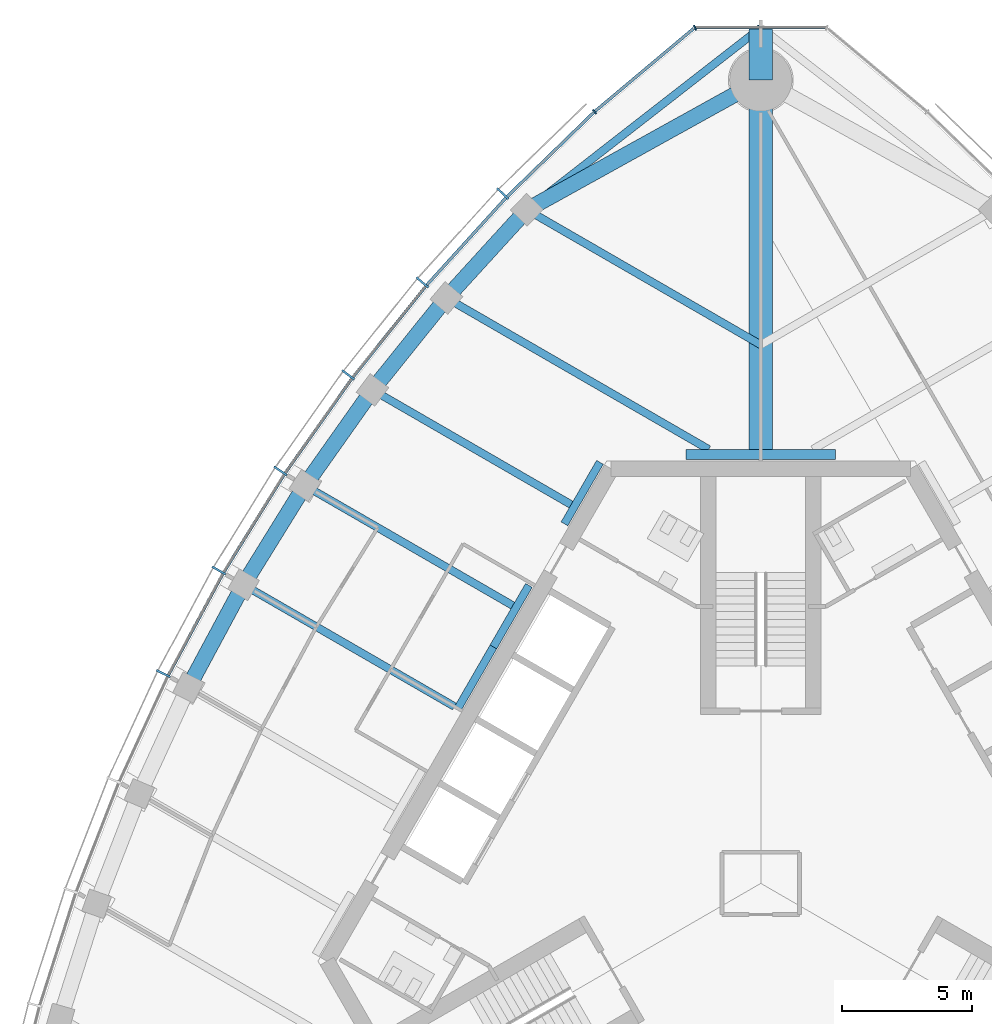
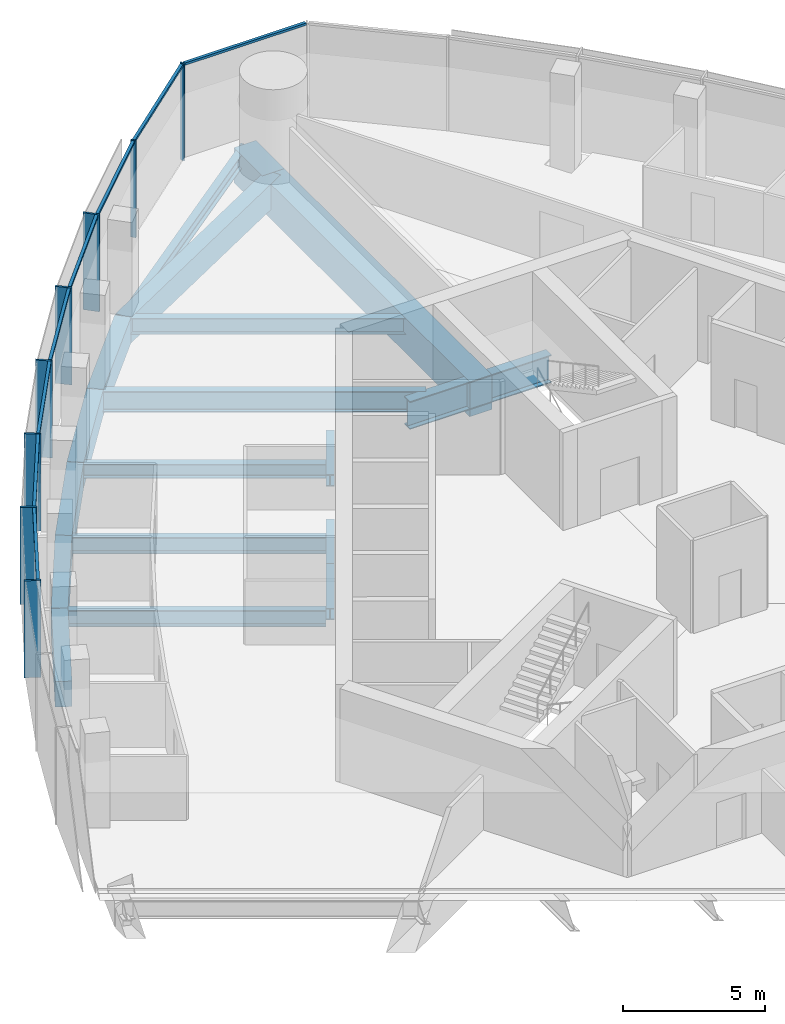
# One storey, part 5 of 16: 19 beams, 16 members, 2 elements without a shape of their own.
"""IFC4 building model written with IfcOpenShell, lengths in metres."""

from ifc_helpers import new_model, si_unit, direction, frame, origin, origin_2d, place, context, subcontext, project, spatial, rectangle, i_section, extrude, material, material_profile, profile_set, type_object, element, aggregate, save


model = new_model("IFC4")

# Units and contexts
model_context = context("Model", 3, precision=1e-05, world=origin(), true_north=direction((0.0, 1.0)))
body_context = subcontext(model_context, "Body", "Model", "MODEL_VIEW")
ifc_project = project(units=[si_unit("LENGTHUNIT", "METRE"), si_unit("AREAUNIT", "SQUARE_METRE"), si_unit("VOLUMEUNIT", "CUBIC_METRE"), si_unit("PLANEANGLEUNIT", "RADIAN"), si_unit("MASSUNIT", "GRAM", prefix="KILO")], contexts=[model_context])

# Site, building, storey
site_placement = place(None, origin())
site = spatial("IfcSite", under=ifc_project, at=site_placement, CompositionType="ELEMENT")
building_placement = place(site_placement, origin())
building = spatial("IfcBuilding", under=site, at=building_placement, Name="Trefoil Bronze Tower", CompositionType="ELEMENT")
storey_placement = place(building_placement, frame((0.0, 0.0, 301.5)))
storey = spatial("IfcBuildingStorey", under=building, at=storey_placement, Name="L69", CompositionType="ELEMENT", Elevation=301.5)

# Curtain wall, members
ifc_material_1 = material(Name="Tinted solar-control glass", Category="glass")
curtain_wall_type_1 = type_object("IfcCurtainWallType", Name="Bronze office curtain wall", PredefinedType="USERDEFINED", material=ifc_material_1)
curtain_wall_1_placement = place(storey_placement, origin())
curtain_wall_1 = element("IfcCurtainWall", 1, at=curtain_wall_1_placement, inside=storey, type_object=curtain_wall_type_1, Name="CW-A L69 F3", ObjectType="CURTAIN WALL", PredefinedType="USERDEFINED")
ifc_material_2 = material(Name="Bronze-finish aluminium", Category="aluminium")
ifc_material_profile_1 = material_profile(ifc_material_2, rectangle(XDim=0.60009765625, YDim=0.080078125, at=origin_2d()), Name="CW-A mullion")
ifc_profile_set_1 = profile_set([ifc_material_profile_1], Name="Bronze-finish aluminium")
member_type_1 = type_object("IfcMemberType", Name="Bronze office curtain wall mullion", PredefinedType="MULLION", material=ifc_profile_set_1)
member_1_placement = place(storey_placement, frame((-9.957275390625, 26.617431640625, 0.0), z_axis=(0.0, 0.0, 1.0), x_axis=(0.719001349715, -0.695008675564, 0.0)))
member_1 = element("IfcMember", 2, at=member_1_placement, type_object=member_type_1, Name="CW-A L69 F3 mullion 2", PredefinedType="MULLION", context=body_context, shape_type="SweptSolid", body=[
    extrude(rectangle(XDim=0.60009765625, YDim=0.080078125, at=origin_2d()), origin(), (0.0, 0.0, 1.0), 4.179931640625),
])
member_2_placement = place(storey_placement, frame((-13.064453125, 23.194091796875, 0.0), z_axis=(0.0, 0.0, 1.0), x_axis=(0.760781190165, -0.649008459646, 0.0)))
member_2 = element("IfcMember", 3, at=member_2_placement, type_object=member_type_1, Name="CW-A L69 F3 mullion 3", PredefinedType="MULLION", context=body_context, shape_type="SweptSolid", body=[
    extrude(rectangle(XDim=0.60009765625, YDim=0.080078125, at=origin_2d()), origin(), (0.0, 0.0, 1.0), 4.179931640625),
])
member_3_placement = place(storey_placement, frame((-15.922607421875, 19.627197265625, 0.0), z_axis=(0.0, 0.0, 1.0), x_axis=(0.799096076136, -0.601203344222, 0.0)))
member_3 = element("IfcMember", 4, at=member_3_placement, type_object=member_type_1, Name="CW-A L69 F3 mullion 4", PredefinedType="MULLION", context=body_context, shape_type="SweptSolid", body=[
    extrude(rectangle(XDim=0.60009765625, YDim=0.080078125, at=origin_2d()), origin(), (0.0, 0.0, 1.0), 4.179931640625),
])
member_4_placement = place(storey_placement, frame((-18.538330078125, 15.920166015625, 0.0), z_axis=(0.0, 0.0, 1.0), x_axis=(0.834159158089, -0.551523797289, 0.0)))
member_4 = element("IfcMember", 5, at=member_4_placement, type_object=member_type_1, Name="CW-A L69 F3 mullion 5", PredefinedType="MULLION", context=body_context, shape_type="SweptSolid", body=[
    extrude(rectangle(XDim=0.60009765625, YDim=0.080078125, at=origin_2d()), origin(), (0.0, 0.0, 1.0), 4.179931640625),
])
member_5_placement = place(storey_placement, frame((-20.916015625, 12.07568359375, 0.0), z_axis=(0.0, 0.0, 1.0), x_axis=(0.866025403784, -0.5, 0.0)))
member_5 = element("IfcMember", 6, at=member_5_placement, type_object=member_type_1, Name="CW-A L69 F3 mullion 6", PredefinedType="MULLION", context=body_context, shape_type="SweptSolid", body=[
    extrude(rectangle(XDim=0.60009765625, YDim=0.080078125, at=origin_2d()), origin(), (0.0, 0.0, 1.0), 4.179931640625),
])
member_6_placement = place(storey_placement, frame((-23.056396484375, 8.094482421875, 0.0), z_axis=(0.0, 0.0, 1.0), x_axis=(0.894713198289, -0.44664112306, 0.0)))
member_6 = element("IfcMember", 7, at=member_6_placement, type_object=member_type_1, Name="CW-A L69 F3 mullion 7", PredefinedType="MULLION", context=body_context, shape_type="SweptSolid", body=[
    extrude(rectangle(XDim=0.60009765625, YDim=0.080078125, at=origin_2d()), origin(), (0.0, 0.0, 1.0), 4.179931640625),
])
ifc_material_3 = material(Name="Bronze-finish aluminium", Category="aluminium")
ifc_material_profile_2 = material_profile(ifc_material_3, rectangle(XDim=0.1201171875, YDim=0.10009765625, at=origin_2d()), Name="CW-A transom")
ifc_profile_set_2 = profile_set([ifc_material_profile_2], Name="Bronze-finish aluminium")
member_type_2 = type_object("IfcMemberType", Name="Bronze office curtain wall transom", PredefinedType="USERDEFINED", material=ifc_profile_set_2)
member_7_placement = place(storey_placement, frame((-6.44921875, 29.7470703125, 4.1298828125), z_axis=(-0.717224617883, -0.696842053484, 0.0), x_axis=(0.696842053484, -0.717224617883, 0.0)))
member_7 = element("IfcMember", 8, at=member_7_placement, type_object=member_type_2, Name="CW-A L69 F3 transom 1", ObjectType="TRANSOM", PredefinedType="USERDEFINED", context=body_context, shape_type="SweptSolid", body=[
    extrude(rectangle(XDim=0.1201171875, YDim=0.10009765625, at=origin_2d()), origin(), (0.0, 0.0, 1.0), 4.6474609375),
])
member_8_placement = place(storey_placement, frame((-9.842529296875, 26.446533203125, 4.1298828125), z_axis=(-0.672068269674, -0.740489190264, 0.0), x_axis=(0.740489190264, -0.672068269674, 0.0)))
member_8 = element("IfcMember", 9, at=member_8_placement, type_object=member_type_2, Name="CW-A L69 F3 transom 2", ObjectType="TRANSOM", PredefinedType="USERDEFINED", context=body_context, shape_type="SweptSolid", body=[
    extrude(rectangle(XDim=0.1201171875, YDim=0.10009765625, at=origin_2d()), origin(), (0.0, 0.0, 1.0), 4.5244140625),
])
member_9_placement = place(storey_placement, frame((-12.939208984375, 23.03076171875, 4.1298828125), z_axis=(-0.625300648488, -0.780383943325, 0.0), x_axis=(0.780383943325, -0.625300648488, 0.0)))
member_9 = element("IfcMember", 10, at=member_9_placement, type_object=member_type_2, Name="CW-A L69 F3 transom 3", ObjectType="TRANSOM", PredefinedType="USERDEFINED", context=body_context, shape_type="SweptSolid", body=[
    extrude(rectangle(XDim=0.1201171875, YDim=0.10009765625, at=origin_2d()), origin(), (0.0, 0.0, 1.0), 4.472412109375),
])
member_10_placement = place(storey_placement, frame((-15.78759765625, 19.4716796875, 4.1298828125), z_axis=(-0.5765665752, -0.817050172488, 0.0), x_axis=(0.817050172488, -0.5765665752, 0.0)))
member_10 = element("IfcMember", 11, at=member_10_placement, type_object=member_type_2, Name="CW-A L69 F3 transom 4", ObjectType="TRANSOM", PredefinedType="USERDEFINED", context=body_context, shape_type="SweptSolid", body=[
    extrude(rectangle(XDim=0.1201171875, YDim=0.10009765625, at=origin_2d()), origin(), (0.0, 0.0, 1.0), 4.4384765625),
])
member_11_placement = place(storey_placement, frame((-18.394287109375, 15.7734375, 4.1298828125), z_axis=(-0.525978235299, -0.850498028212, 0.0), x_axis=(0.850498028212, -0.525978235299, 0.0)))
member_11 = element("IfcMember", 12, at=member_11_placement, type_object=member_type_2, Name="CW-A L69 F3 transom 5", ObjectType="TRANSOM", PredefinedType="USERDEFINED", context=body_context, shape_type="SweptSolid", body=[
    extrude(rectangle(XDim=0.1201171875, YDim=0.10009765625, at=origin_2d()), origin(), (0.0, 0.0, 1.0), 4.422119140625),
])
member_12_placement = place(storey_placement, frame((-20.76318359375, 11.93798828125, 4.1298828125), z_axis=(-0.473540024981, -0.880772300167, 0.0), x_axis=(0.880772300167, -0.473540024981, 0.0)))
member_12 = element("IfcMember", 13, at=member_12_placement, type_object=member_type_2, Name="CW-A L69 F3 transom 6", ObjectType="TRANSOM", PredefinedType="USERDEFINED", context=body_context, shape_type="SweptSolid", body=[
    extrude(rectangle(XDim=0.1201171875, YDim=0.10009765625, at=origin_2d()), origin(), (0.0, 0.0, 1.0), 4.422119140625),
])
aggregate(curtain_wall_1, [member_1, member_2, member_3, member_4, member_5, member_6, member_7, member_8, member_9, member_10, member_11, member_12])

ifc_material_4 = material(Name="Tinted solar-control glass", Category="glass")
curtain_wall_type_2 = type_object("IfcCurtainWallType", Name="Bronze rounded corner curtain wall", PredefinedType="USERDEFINED", material=ifc_material_4)
curtain_wall_2_placement = place(storey_placement, origin())
curtain_wall_2 = element("IfcCurtainWall", 14, at=curtain_wall_2_placement, inside=storey, type_object=curtain_wall_type_2, Name="CW-B L69 K2", ObjectType="CURTAIN WALL", PredefinedType="USERDEFINED")
ifc_material_5 = material(Name="Bronze-finish aluminium", Category="aluminium")
ifc_material_profile_3 = material_profile(ifc_material_5, rectangle(XDim=0.199951171875, YDim=0.06005859375, at=origin_2d()), Name="CW-B mullion")
ifc_profile_set_3 = profile_set([ifc_material_profile_3], Name="Bronze-finish aluminium")
member_type_3 = type_object("IfcMemberType", Name="Bronze rounded corner curtain wall mullion", PredefinedType="MULLION", material=ifc_profile_set_3)
member_13_placement = place(storey_placement, frame((-2.542236328125, 33.021484375, 0.0), z_axis=(0.0, 0.0, 1.0), x_axis=(0.342020143326, -0.939692620786, 0.0)))
member_13 = element("IfcMember", 15, at=member_13_placement, type_object=member_type_3, Name="CW-B L69 K2 mullion 3", PredefinedType="MULLION", context=body_context, shape_type="SweptSolid", body=[
    extrude(rectangle(XDim=0.199951171875, YDim=0.06005859375, at=origin_2d()), origin(), (0.0, 0.0, 1.0), 4.179931640625),
])
member_14_placement = place(storey_placement, frame((-6.4150390625, 29.77978515625, 0.0), z_axis=(0.0, 0.0, 1.0), x_axis=(0.642787609687, -0.766044443119, 0.0)))
member_14 = element("IfcMember", 16, at=member_14_placement, type_object=member_type_3, Name="CW-B L69 K2 mullion 4", PredefinedType="MULLION", context=body_context, shape_type="SweptSolid", body=[
    extrude(rectangle(XDim=0.199951171875, YDim=0.06005859375, at=origin_2d()), origin(), (0.0, 0.0, 1.0), 4.179931640625),
])
ifc_material_6 = material(Name="Bronze-finish aluminium", Category="aluminium")
ifc_material_profile_4 = material_profile(ifc_material_6, rectangle(XDim=0.1201171875, YDim=0.10009765625, at=origin_2d()), Name="CW-B transom")
ifc_profile_set_4 = profile_set([ifc_material_profile_4], Name="Bronze-finish aluminium")
member_type_4 = type_object("IfcMemberType", Name="Bronze rounded corner curtain wall transom", PredefinedType="USERDEFINED", material=ifc_profile_set_4)
member_15_placement = place(storey_placement, frame((2.47802734375, 33.027587890625, 4.1298828125), z_axis=(-1.0, 0.0, 0.0), x_axis=(0.0, -1.0, 0.0)))
member_15 = element("IfcMember", 17, at=member_15_placement, type_object=member_type_4, Name="CW-B L69 K2 transom 2", ObjectType="TRANSOM", PredefinedType="USERDEFINED", context=body_context, shape_type="SweptSolid", body=[
    extrude(rectangle(XDim=0.1201171875, YDim=0.10009765625, at=origin_2d()), origin(), (0.0, 0.0, 1.0), 4.9560546875),
])
member_16_placement = place(storey_placement, frame((-2.595458984375, 32.98486328125, 4.1298828125), z_axis=(-0.766040522511, -0.642792282056, 0.0), x_axis=(0.642792282056, -0.766040522511, 0.0)))
member_16 = element("IfcMember", 18, at=member_16_placement, type_object=member_type_4, Name="CW-B L69 K2 transom 3", ObjectType="TRANSOM", PredefinedType="USERDEFINED", context=body_context, shape_type="SweptSolid", body=[
    extrude(rectangle(XDim=0.1201171875, YDim=0.10009765625, at=origin_2d()), origin(), (0.0, 0.0, 1.0), 4.9560546875),
])
aggregate(curtain_wall_2, [member_13, member_14, member_15, member_16])

# Beams
ifc_material_7 = material(Name="Steel C355", Category="steel")
ifc_material_profile_5 = material_profile(ifc_material_7, i_section(OverallWidth=0.300048828125, OverallDepth=0.5, WebThickness=0.014404296875, FlangeThickness=0.028076171875, FilletRadius=0.027099609375, at=origin_2d()), Name="HEB 500")
ifc_profile_set_5 = profile_set([ifc_material_profile_5], Name="Steel C355")
beam_type_1 = type_object("IfcBeamType", Name="Core seat beam HEB 500", PredefinedType="BEAM", material=ifc_profile_set_5)
for number, where, z_axis, x_axis, name in (
    (19, (-6.20654296875, 16.25, -0.449951171875), (-0.499969057507, -0.866043267704, 0.0), (0.866043267704, -0.499969057507, 0.0), "Core seat beam F3/-2 L69"),
    (20, (-8.948974609375, 11.5, -0.449951171875), (-0.499969057507, -0.866043267704, 0.0), (0.866043267704, -0.499969057507, 0.0), "Core seat beam F3/-1 L69"),
    (21, (-10.320068359375, 9.125, -0.449951171875), (-0.500035825175, -0.866004719122, 0.0), (0.866004719122, -0.500035825175, 0.0), "Core seat beam F3/+0 L69"),
):
    element("IfcBeam", number, at=place(storey_placement, frame(where, z_axis=z_axis, x_axis=x_axis)), inside=storey, type_object=beam_type_1, Name=name, PredefinedType="BEAM", context=body_context, shape_type="SweptSolid", body=[
        extrude(i_section(OverallWidth=0.300048828125, OverallDepth=0.5, WebThickness=0.014404296875, FlangeThickness=0.028076171875, FilletRadius=0.027099609375, at=origin_2d()), origin(), (0.0, 0.0, 1.0), 2.742431640625),
    ])
ifc_material_8 = material(Name="Steel C355", Category="steel")
ifc_material_profile_6 = material_profile(ifc_material_8, i_section(OverallWidth=0.39990234375, OverallDepth=1.199951171875, WebThickness=0.02001953125, FlangeThickness=0.0400390625, FilletRadius=0.010009765625, at=origin_2d()), Name="WPG 1200")
ifc_profile_set_6 = profile_set([ifc_material_profile_6], Name="Steel C355")
beam_type_2 = type_object("IfcBeamType", Name="Core seat beam WPG 1200", PredefinedType="BEAM", material=ifc_profile_set_6)
for number, where, z_axis, x_axis, name in (
    (22, (2.88671875, 16.550048828125, -0.800048828125), (-1.0, 0.0, 0.0), (0.0, -1.0, 0.0), "Core seat beam F2/+3 L69"),
    (23, (0.0, 16.550048828125, -0.800048828125), (-1.0, 0.0, 0.0), (0.0, -1.0, 0.0), "Core seat beam F3/-3 L69"),
):
    element("IfcBeam", number, at=place(storey_placement, frame(where, z_axis=z_axis, x_axis=x_axis)), inside=storey, type_object=beam_type_2, Name=name, PredefinedType="BEAM", context=body_context, shape_type="SweptSolid", body=[
        extrude(i_section(OverallWidth=0.39990234375, OverallDepth=1.199951171875, WebThickness=0.02001953125, FlangeThickness=0.0400390625, FilletRadius=0.010009765625, at=origin_2d()), origin(), (0.0, 0.0, 1.0), 2.88671875),
    ])
ifc_material_9 = material(Name="Concrete B80", Category="concrete")
ifc_material_profile_7 = material_profile(ifc_material_9, rectangle(XDim=0.89990234375, YDim=1.5, at=origin_2d()), Name="RC 900x1500")
ifc_profile_set_7 = profile_set([ifc_material_profile_7], Name="Concrete B80")
beam_type_3 = type_object("IfcBeamType", Name="Corner cantilever RC 900x1500", PredefinedType="BEAM", material=ifc_profile_set_7)
beam_1_placement = place(storey_placement, frame((0.0, 31.0, -0.949951171875), z_axis=(0.0, 1.0, 0.0), x_axis=(-1.0, 0.0, 0.0)))
element("IfcBeam", 24, at=beam_1_placement, inside=storey, type_object=beam_type_3, Name="Corner cantilever K2 L69", PredefinedType="BEAM", context=body_context, shape_type="SweptSolid", body=[
    extrude(rectangle(XDim=0.89990234375, YDim=1.5, at=origin_2d()), origin(), (0.0, 0.0, 1.0), 2.019775390625),
])
ifc_material_10 = material(Name="Steel C355", Category="steel")
ifc_material_profile_8 = material_profile(ifc_material_10, i_section(OverallWidth=0.300048828125, OverallDepth=0.60009765625, WebThickness=0.015380859375, FlangeThickness=0.030029296875, FilletRadius=0.027099609375, at=origin_2d()), Name="HEB 600")
ifc_profile_set_8 = profile_set([ifc_material_profile_8], Name="Steel C355")
beam_type_4 = type_object("IfcBeamType", Name="Corner edge beam HEB 600", PredefinedType="BEAM", material=ifc_profile_set_8)
beam_2_placement = place(storey_placement, frame((-9.02734375, 25.99658203125, -0.5), z_axis=(0.789270604977, 0.614045529354, 0.0), x_axis=(-0.614045529354, 0.789270604977, 0.0)))
element("IfcBeam", 25, at=beam_2_placement, inside=storey, type_object=beam_type_4, Name="Corner edge beam F3B L69", PredefinedType="BEAM", context=body_context, shape_type="SweptSolid", body=[
    extrude(i_section(OverallWidth=0.300048828125, OverallDepth=0.60009765625, WebThickness=0.015380859375, FlangeThickness=0.030029296875, FilletRadius=0.027099609375, at=origin_2d()), origin(), (0.0, 0.0, 1.0), 11.4375),
])
ifc_material_11 = material(Name="Concrete B80", Category="concrete")
ifc_material_profile_9 = material_profile(ifc_material_11, rectangle(XDim=0.89990234375, YDim=1.5, at=origin_2d()), Name="RC 900x1500")
ifc_profile_set_9 = profile_set([ifc_material_profile_9], Name="Concrete B80")
beam_type_5 = type_object("IfcBeamType", Name="Corner girder RC 900x1500", PredefinedType="BEAM", material=ifc_profile_set_9)
beam_3_placement = place(storey_placement, frame((0.0, 16.35009765625, -0.949951171875), z_axis=(0.0, 1.0, 0.0), x_axis=(-1.0, 0.0, 0.0)))
element("IfcBeam", 26, at=beam_3_placement, inside=storey, type_object=beam_type_5, Name="Corner girder K2 L69", PredefinedType="BEAM", context=body_context, shape_type="SweptSolid", body=[
    extrude(rectangle(XDim=0.89990234375, YDim=1.5, at=origin_2d()), origin(), (0.0, 0.0, 1.0), 14.64990234375),
])
ifc_material_12 = material(Name="Concrete B80", Category="concrete")
ifc_material_profile_10 = material_profile(ifc_material_12, rectangle(XDim=0.60009765625, YDim=1.10009765625, at=origin_2d()), Name="RC 600x1100")
ifc_profile_set_10 = profile_set([ifc_material_profile_10], Name="Concrete B80")
beam_type_6 = type_object("IfcBeamType", Name="End spandrel beam RC 600x1100", PredefinedType="SPANDREL", material=ifc_profile_set_10)
beam_4_placement = place(storey_placement, frame((0.0, 31.0, -0.75), z_axis=(-0.874641085074, -0.484771051426, 0.0), x_axis=(0.484771051426, -0.874641085074, 0.0)))
element("IfcBeam", 27, at=beam_4_placement, inside=storey, type_object=beam_type_6, Name="Spandrel F3.1 L69", PredefinedType="SPANDREL", context=body_context, shape_type="SweptSolid", body=[
    extrude(rectangle(XDim=0.60009765625, YDim=1.10009765625, at=origin_2d()), origin(), (0.0, 0.0, 1.0), 10.3212890625),
])
ifc_material_13 = material(Name="Steel C355", Category="steel")
ifc_material_profile_11 = material_profile(ifc_material_13, i_section(OverallWidth=0.300048828125, OverallDepth=0.60009765625, WebThickness=0.015380859375, FlangeThickness=0.030029296875, FilletRadius=0.027099609375, at=origin_2d()), Name="HEB 600")
ifc_profile_set_11 = profile_set([ifc_material_profile_11], Name="Steel C355")
beam_type_7 = type_object("IfcBeamType", Name="Floor beam HEB 600", PredefinedType="BEAM", material=ifc_profile_set_11)
beam_5_placement = place(storey_placement, frame((-14.98486328125, 19.043701171875, -0.5), z_axis=(0.866025701847, -0.499999483739, 0.0), x_axis=(0.499999483739, 0.866025701847, 0.0)))
element("IfcBeam", 28, at=beam_5_placement, inside=storey, type_object=beam_type_7, Name="Floor beam F3/-2 L69", PredefinedType="BEAM", context=body_context, shape_type="SweptSolid", body=[
    extrude(i_section(OverallWidth=0.300048828125, OverallDepth=0.60009765625, WebThickness=0.015380859375, FlangeThickness=0.030029296875, FilletRadius=0.027099609375, at=origin_2d()), origin(), (0.0, 0.0, 1.0), 8.84912109375),
])
ifc_material_14 = material(Name="Steel C355", Category="steel")
ifc_material_profile_12 = material_profile(ifc_material_14, i_section(OverallWidth=0.300048828125, OverallDepth=0.699951171875, WebThickness=0.01708984375, FlangeThickness=0.031982421875, FilletRadius=0.027099609375, at=origin_2d()), Name="HEB 700")
ifc_profile_set_12 = profile_set([ifc_material_profile_12], Name="Steel C355")
beam_type_8 = type_object("IfcBeamType", Name="Floor beam HEB 700", PredefinedType="BEAM", material=ifc_profile_set_12)
beam_6_placement = place(storey_placement, frame((-9.02734375, 25.99658203125, -0.550048828125), z_axis=(0.866026453994, -0.499998180979, 0.0), x_axis=(0.499998180979, 0.866026453994, 0.0)))
element("IfcBeam", 29, at=beam_6_placement, inside=storey, type_object=beam_type_8, Name="Floor beam F3/-4 L69", PredefinedType="BEAM", context=body_context, shape_type="SweptSolid", body=[
    extrude(i_section(OverallWidth=0.300048828125, OverallDepth=0.699951171875, WebThickness=0.01708984375, FlangeThickness=0.031982421875, FilletRadius=0.027099609375, at=origin_2d()), origin(), (0.0, 0.0, 1.0), 10.423828125),
])
beam_7_placement = place(storey_placement, frame((-17.593994140625, 15.35400390625, -0.550048828125), z_axis=(0.866028909405, -0.499993928037, 0.0), x_axis=(0.499993928037, 0.866028909405, 0.0)))
element("IfcBeam", 30, at=beam_7_placement, inside=storey, type_object=beam_type_8, Name="Floor beam F3/-1 L69", PredefinedType="BEAM", context=body_context, shape_type="SweptSolid", body=[
    extrude(i_section(OverallWidth=0.300048828125, OverallDepth=0.699951171875, WebThickness=0.01708984375, FlangeThickness=0.031982421875, FilletRadius=0.027099609375, at=origin_2d()), origin(), (0.0, 0.0, 1.0), 9.263671875),
])
beam_8_placement = place(storey_placement, frame((-19.96337890625, 11.52587890625, -0.550048828125), z_axis=(0.866021259968, -0.500007177232, 0.0), x_axis=(0.500007177232, 0.866021259968, 0.0)))
element("IfcBeam", 31, at=beam_8_placement, inside=storey, type_object=beam_type_8, Name="Floor beam F3/+0 L69", PredefinedType="BEAM", context=body_context, shape_type="SweptSolid", body=[
    extrude(i_section(OverallWidth=0.300048828125, OverallDepth=0.699951171875, WebThickness=0.01708984375, FlangeThickness=0.031982421875, FilletRadius=0.027099609375, at=origin_2d()), origin(), (0.0, 0.0, 1.0), 9.401611328125),
])
ifc_material_15 = material(Name="Steel C355", Category="steel")
ifc_material_profile_13 = material_profile(ifc_material_15, i_section(OverallWidth=0.300048828125, OverallDepth=0.89990234375, WebThickness=0.0185546875, FlangeThickness=0.034912109375, FilletRadius=0.030029296875, at=origin_2d()), Name="HEB 900")
ifc_profile_set_13 = profile_set([ifc_material_profile_13], Name="Steel C355")
beam_type_9 = type_object("IfcBeamType", Name="Floor beam HEB 900", PredefinedType="BEAM", material=ifc_profile_set_13)
beam_9_placement = place(storey_placement, frame((-12.131591796875, 22.5927734375, -0.64990234375), z_axis=(0.866017882563, -0.500013026912, 0.0), x_axis=(0.500013026912, 0.866017882563, 0.0)))
element("IfcBeam", 32, at=beam_9_placement, inside=storey, type_object=beam_type_9, Name="Floor beam F3/-3 L69", PredefinedType="BEAM", context=body_context, shape_type="SweptSolid", body=[
    extrude(i_section(OverallWidth=0.300048828125, OverallDepth=0.89990234375, WebThickness=0.0185546875, FlangeThickness=0.034912109375, FilletRadius=0.030029296875, at=origin_2d()), origin(), (0.0, 0.0, 1.0), 11.685302734375),
])
ifc_material_16 = material(Name="Concrete B80", Category="concrete")
ifc_material_profile_14 = material_profile(ifc_material_16, rectangle(XDim=0.60009765625, YDim=1.10009765625, at=origin_2d()), Name="RC 600x1100")
ifc_profile_set_14 = profile_set([ifc_material_profile_14], Name="Concrete B80")
beam_type_10 = type_object("IfcBeamType", Name="Spandrel beam RC 600x1100", PredefinedType="SPANDREL", material=ifc_profile_set_14)
beam_10_placement = place(storey_placement, frame((-9.02734375, 25.99658203125, -0.75), z_axis=(-0.673845775847, -0.738872025707, 0.0), x_axis=(0.738872025707, -0.673845775847, 0.0)))
element("IfcBeam", 33, at=beam_10_placement, inside=storey, type_object=beam_type_10, Name="Spandrel F3.2 L69", PredefinedType="SPANDREL", context=body_context, shape_type="SweptSolid", body=[
    extrude(rectangle(XDim=0.60009765625, YDim=1.10009765625, at=origin_2d()), origin(), (0.0, 0.0, 1.0), 4.606689453125),
])
beam_11_placement = place(storey_placement, frame((-12.131591796875, 22.5927734375, -0.75), z_axis=(-0.626569682592, -0.779365403939, 0.0), x_axis=(0.779365403939, -0.626569682592, 0.0)))
element("IfcBeam", 34, at=beam_11_placement, inside=storey, type_object=beam_type_10, Name="Spandrel F3.3 L69", PredefinedType="SPANDREL", context=body_context, shape_type="SweptSolid", body=[
    extrude(rectangle(XDim=0.60009765625, YDim=1.10009765625, at=origin_2d()), origin(), (0.0, 0.0, 1.0), 4.5537109375),
])
beam_12_placement = place(storey_placement, frame((-14.98486328125, 19.043701171875, -0.75), z_axis=(-0.577368105169, -0.816483968693, 0.0), x_axis=(0.816483968693, -0.577368105169, 0.0)))
element("IfcBeam", 35, at=beam_12_placement, inside=storey, type_object=beam_type_10, Name="Spandrel F3.4 L69", PredefinedType="SPANDREL", context=body_context, shape_type="SweptSolid", body=[
    extrude(rectangle(XDim=0.60009765625, YDim=1.10009765625, at=origin_2d()), origin(), (0.0, 0.0, 1.0), 4.51904296875),
])
beam_13_placement = place(storey_placement, frame((-17.593994140625, 15.35400390625, -0.75), z_axis=(-0.526289271956, -0.850305593433, 0.0), x_axis=(0.850305593433, -0.526289271956, 0.0)))
element("IfcBeam", 36, at=beam_13_placement, inside=storey, type_object=beam_type_10, Name="Spandrel F3.5 L69", PredefinedType="SPANDREL", context=body_context, shape_type="SweptSolid", body=[
    extrude(rectangle(XDim=0.60009765625, YDim=1.10009765625, at=origin_2d()), origin(), (0.0, 0.0, 1.0), 4.501953125),
])
beam_14_placement = place(storey_placement, frame((-19.96337890625, 11.52587890625, -0.75), z_axis=(-0.473245885676, -0.880930378458, 0.0), x_axis=(0.880930378458, -0.473245885676, 0.0)))
element("IfcBeam", 37, at=beam_14_placement, inside=storey, type_object=beam_type_10, Name="Spandrel F3.6 L69", PredefinedType="SPANDREL", context=body_context, shape_type="SweptSolid", body=[
    extrude(rectangle(XDim=0.60009765625, YDim=1.10009765625, at=origin_2d()), origin(), (0.0, 0.0, 1.0), 4.502197265625),
])

save(model, "model.ifc")
